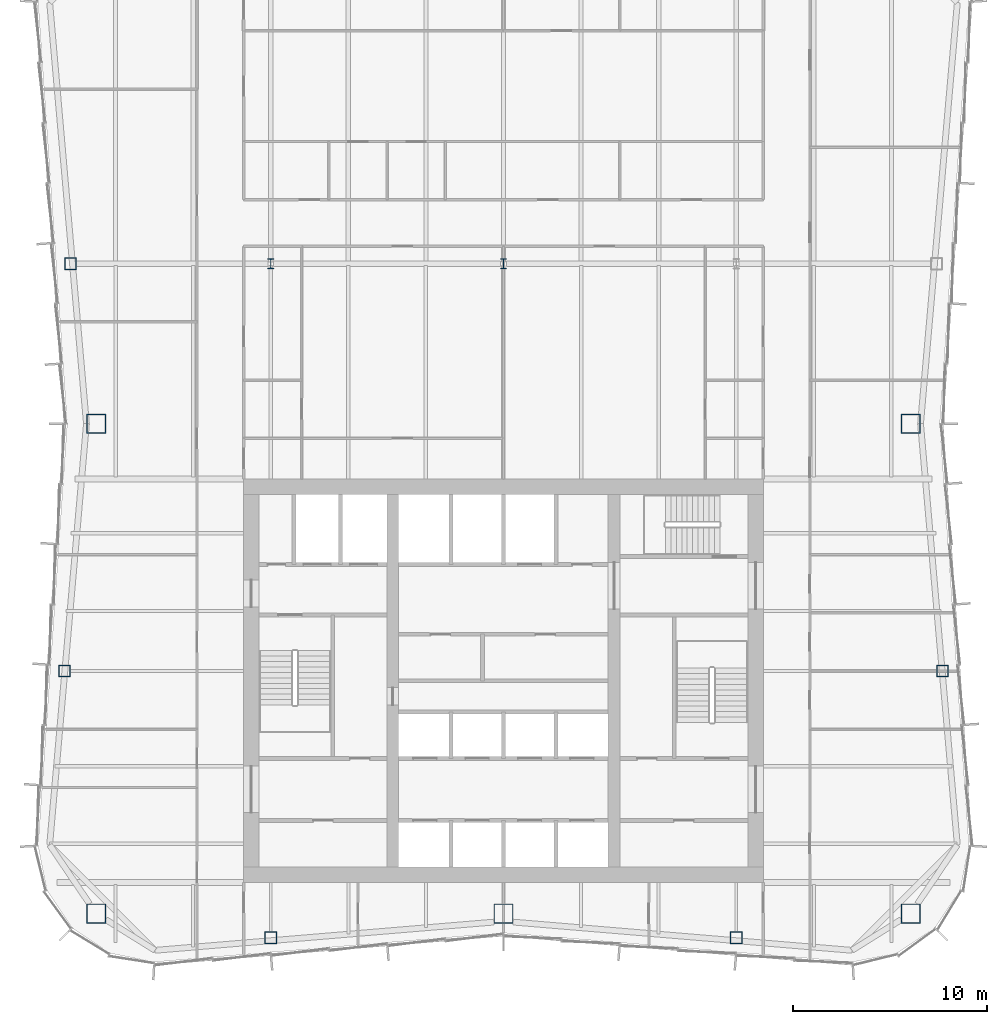
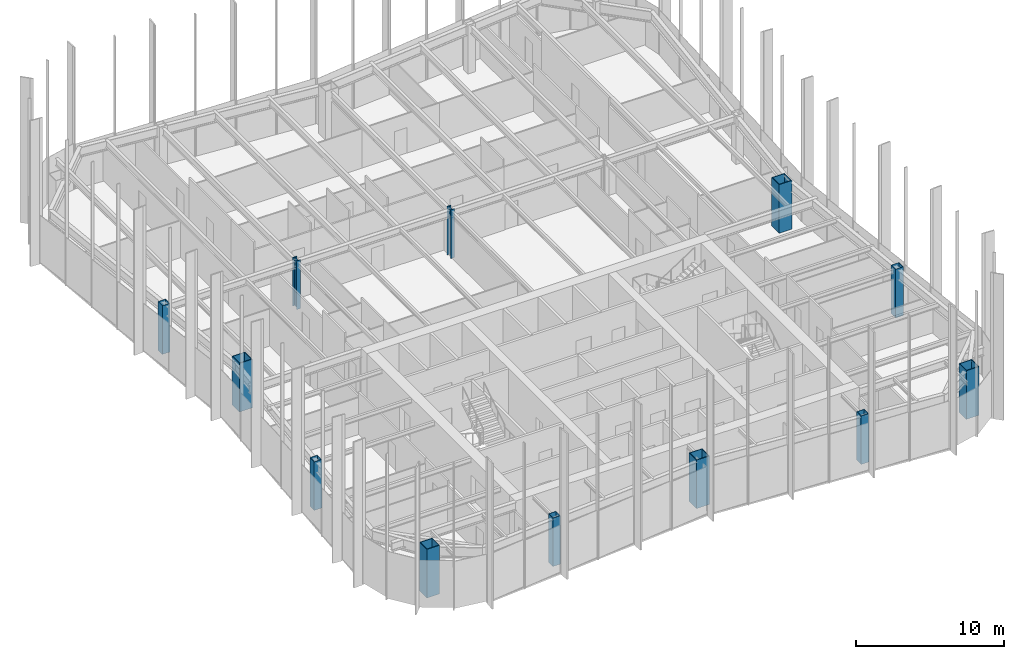
# One storey, part 1 of 15: 12 columns.
"""IFC4 building model written with IfcOpenShell, lengths in metres."""

from ifc_helpers import new_model, si_unit, direction, frame, origin, origin_2d, place, context, subcontext, project, spatial, hollow_rectangle, i_section, extrude, material, material_profile, profile_set, type_object, element, save


model = new_model("IFC4")

# Units and contexts
model_context = context("Model", 3, precision=1e-05, world=origin(), true_north=direction((0.0, 1.0)))
body_context = subcontext(model_context, "Body", "Model", "MODEL_VIEW")
ifc_project = project(units=[si_unit("LENGTHUNIT", "METRE"), si_unit("AREAUNIT", "SQUARE_METRE"), si_unit("VOLUMEUNIT", "CUBIC_METRE"), si_unit("PLANEANGLEUNIT", "RADIAN"), si_unit("MASSUNIT", "GRAM", prefix="KILO")], contexts=[model_context])

# Site, building, storey
site_placement = place(None, origin())
site = spatial("IfcSite", under=ifc_project, at=site_placement, CompositionType="ELEMENT")
building_placement = place(site_placement, origin())
building = spatial("IfcBuilding", under=site, at=building_placement, Name="Verdant Reach Tower", CompositionType="ELEMENT")
storey_placement = place(building_placement, frame((0.0, 0.0, 238.0)))
storey = spatial("IfcBuildingStorey", under=building, at=storey_placement, Name="L54", CompositionType="ELEMENT", Elevation=238.0)

# Columns
ifc_material = material(Name="Steel S460", Category="steel")
ifc_material_profile_1 = material_profile(ifc_material, i_section(OverallWidth=0.305908203125, OverallDepth=0.52392578125, WebThickness=0.012451171875, FlangeThickness=0.0400390625, FilletRadius=0.027099609375, at=origin_2d()), Name="HEM 500")
ifc_profile_set_1 = profile_set([ifc_material_profile_1], Name="Steel S460")
column_type_1 = type_object("IfcColumnType", Name="ST-COL-HEM500", PredefinedType="COLUMN", material=ifc_profile_set_1)
for number, where, z_axis, x_axis, name in (
    (1, (-12.0, 49.5, 0.0), (0.0, 0.0, 1.0), (1.0, 0.0, 0.0), "Interior column 1, L54"),
    (2, (0.0, 49.5, 0.0), (0.0, 0.0, 1.0), (1.0, 0.0, 0.0), "Interior column 2, L54"),
):
    element("IfcColumn", number, at=place(storey_placement, frame(where, z_axis=z_axis, x_axis=x_axis)), inside=storey, type_object=column_type_1, Name=name, PredefinedType="COLUMN", context=body_context, shape_type="SweptSolid", body=[
        extrude(i_section(OverallWidth=0.305908203125, OverallDepth=0.52392578125, WebThickness=0.012451171875, FlangeThickness=0.0400390625, FilletRadius=0.027099609375, at=origin_2d()), origin(), (0.0, 0.0, 1.0), 4.0),
    ])
ifc_material_profile_2 = material_profile(ifc_material, hollow_rectangle(XDim=1.0, YDim=1.0, WallThickness=0.044921875, at=origin_2d()), Name="WB 1000x1000x45")
ifc_profile_set_2 = profile_set([ifc_material_profile_2], Name="Steel S460")
column_type_2 = type_object("IfcColumnType", Name="ST-COL-WB1000x1000x45", PredefinedType="COLUMN", material=ifc_profile_set_2)
for number, where, z_axis, x_axis, name in (
    (3, (21.0, 41.25, 0.0), (0.0, 0.0, 1.0), (1.0, 0.0, 0.0), "Mega column east, L54"),
    (4, (21.0, 16.0, 0.0), (0.0, 0.0, 1.0), (1.0, 0.0, 0.0), "Mega column south-east, L54"),
    (5, (0.0, 16.0, 0.0), (0.0, 0.0, 1.0), (1.0, 0.0, 0.0), "Mega column south, L54"),
    (6, (-21.0, 16.0, 0.0), (0.0, 0.0, 1.0), (1.0, 0.0, 0.0), "Mega column south-west, L54"),
    (7, (-21.0, 41.25, 0.0), (0.0, 0.0, 1.0), (1.0, 0.0, 0.0), "Mega column west, L54"),
):
    element("IfcColumn", number, at=place(storey_placement, frame(where, z_axis=z_axis, x_axis=x_axis)), inside=storey, type_object=column_type_2, Name=name, PredefinedType="COLUMN", context=body_context, shape_type="SweptSolid", body=[
        extrude(hollow_rectangle(XDim=1.0, YDim=1.0, WallThickness=0.044921875, at=origin_2d()), origin(), (0.0, 0.0, 1.0), 4.0),
    ])
ifc_material_profile_3 = material_profile(ifc_material, hollow_rectangle(XDim=0.60009765625, YDim=0.60009765625, WallThickness=0.02490234375, at=origin_2d()), Name="WB 600x600x25")
ifc_profile_set_3 = profile_set([ifc_material_profile_3], Name="Steel S460")
column_type_3 = type_object("IfcColumnType", Name="ST-COL-WB600x600x25", PredefinedType="COLUMN", material=ifc_profile_set_3)
for number, where, z_axis, x_axis, name in (
    (8, (-12.0, 14.75, 0.0), (0.0, 0.0, 1.0), (1.0, 0.0, 0.0), "Perimeter column south 1, L54"),
    (9, (12.0, 14.75, 0.0), (0.0, 0.0, 1.0), (1.0, 0.0, 0.0), "Perimeter column south 2, L54"),
    (10, (22.62939453125, 28.5, 0.0), (0.0, 0.0, 1.0), (1.0, 0.0, 0.0), "Perimeter column east 1, L54"),
    (11, (-22.62939453125, 28.5, 0.0), (0.0, 0.0, 1.0), (1.0, 0.0, 0.0), "Perimeter column west 1, L54"),
    (12, (-22.319091796875, 49.5, 0.0), (0.0, 0.0, 1.0), (1.0, 0.0, 0.0), "Perimeter column west 2, L54"),
):
    element("IfcColumn", number, at=place(storey_placement, frame(where, z_axis=z_axis, x_axis=x_axis)), inside=storey, type_object=column_type_3, Name=name, PredefinedType="COLUMN", context=body_context, shape_type="SweptSolid", body=[
        extrude(hollow_rectangle(XDim=0.60009765625, YDim=0.60009765625, WallThickness=0.02490234375, at=origin_2d()), origin(), (0.0, 0.0, 1.0), 4.0),
    ])

save(model, "model.ifc")
